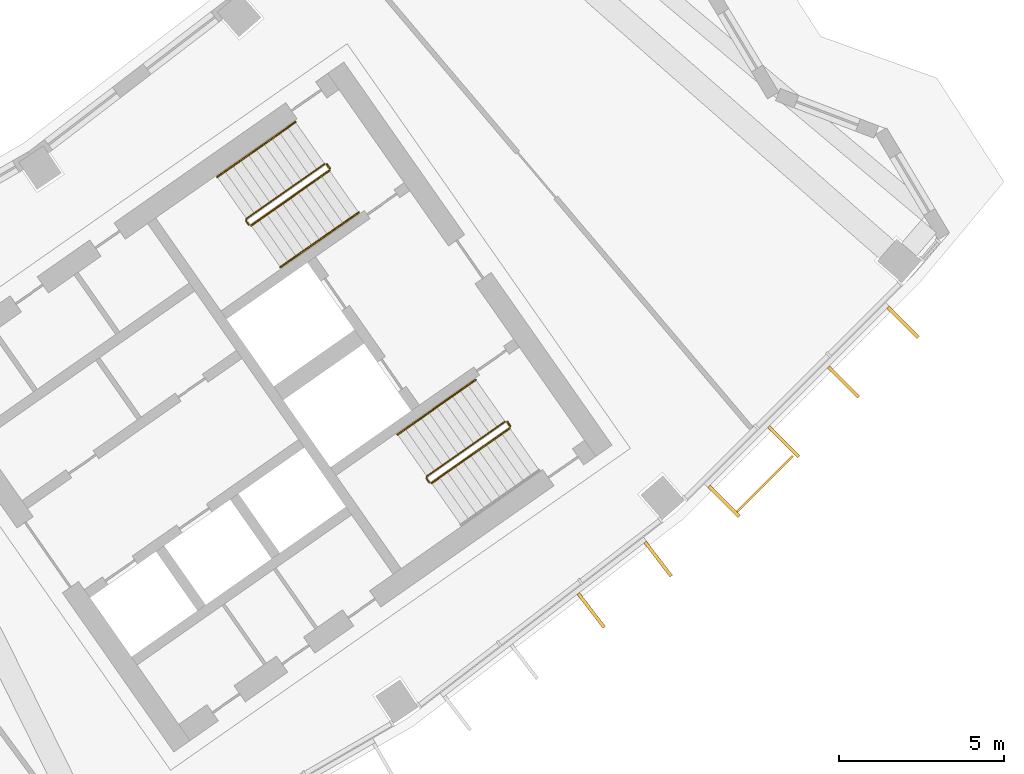
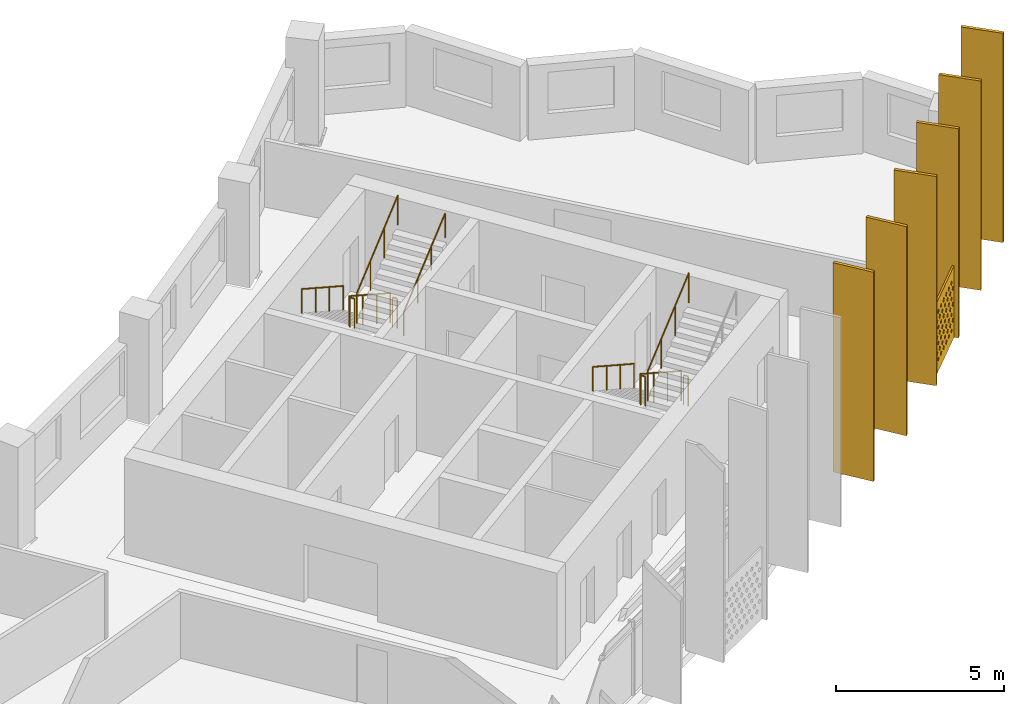
# One storey, part 28 of 29: 9 railings, 7 shading devices.
"""IFC4 building model written with IfcOpenShell, lengths in metres."""

from ifc_helpers import new_model, si_unit, direction, frame, origin, origin_2d, place, context, subcontext, project, spatial, polyline, rectangle, circle, outline, extrude, material, material_profile, profile_set, type_object, element, save


model = new_model("IFC4")

# Units and contexts
model_context = context("Model", 3, precision=1e-05, world=origin(), true_north=direction((0.0, 1.0)))
body_context = subcontext(model_context, "Body", "Model", "MODEL_VIEW")
ifc_project = project(units=[si_unit("LENGTHUNIT", "METRE"), si_unit("AREAUNIT", "SQUARE_METRE"), si_unit("VOLUMEUNIT", "CUBIC_METRE"), si_unit("PLANEANGLEUNIT", "RADIAN"), si_unit("MASSUNIT", "GRAM", prefix="KILO")], contexts=[model_context])

# Site, building, storey
site_placement = place(None, origin())
site = spatial("IfcSite", under=ifc_project, at=site_placement, CompositionType="ELEMENT")
building_placement = place(site_placement, origin())
building = spatial("IfcBuilding", under=site, at=building_placement, Name="Qamariyya Broadcast Tower", CompositionType="ELEMENT")
storey_placement = place(building_placement, frame((0.0, 0.0, 258.10009765625)))
storey = spatial("IfcBuildingStorey", under=building, at=storey_placement, Name="L62", CompositionType="ELEMENT", Elevation=258.10009765625)

# Shading device
ifc_material_1 = material(Name="Perforated glazed terracotta", Category="masonry")
ifc_material_profile_1 = material_profile(ifc_material_1, outline(polyline([(-1.199951171875, -1.300048828125), (1.199951171875, -1.300048828125), (1.199951171875, 1.300048828125), (-1.199951171875, 1.300048828125), (-1.199951171875, -1.300048828125)]), holes=[polyline([(-0.81494140625, -0.86669921875), (-0.89990234375, -0.78173828125), (-0.985107421875, -0.86669921875), (-0.89990234375, -0.95166015625), (-0.81494140625, -0.86669921875)]), polyline([(-0.514892578125, -0.86669921875), (-0.60009765625, -0.78173828125), (-0.68505859375, -0.86669921875), (-0.60009765625, -0.95166015625), (-0.514892578125, -0.86669921875)]), polyline([(-0.215087890625, -0.86669921875), (-0.300048828125, -0.78173828125), (-0.385009765625, -0.86669921875), (-0.300048828125, -0.95166015625), (-0.215087890625, -0.86669921875)]), polyline([(0.0849609375, -0.86669921875), (0.0, -0.78173828125), (-0.0849609375, -0.86669921875), (0.0, -0.95166015625), (0.0849609375, -0.86669921875)]), polyline([(0.385009765625, -0.86669921875), (0.300048828125, -0.78173828125), (0.215087890625, -0.86669921875), (0.300048828125, -0.95166015625), (0.385009765625, -0.86669921875)]), polyline([(0.68505859375, -0.86669921875), (0.60009765625, -0.78173828125), (0.514892578125, -0.86669921875), (0.60009765625, -0.95166015625), (0.68505859375, -0.86669921875)]), polyline([(0.985107421875, -0.86669921875), (0.89990234375, -0.78173828125), (0.81494140625, -0.86669921875), (0.89990234375, -0.95166015625), (0.985107421875, -0.86669921875)]), polyline([(-0.965087890625, -0.577880859375), (-1.050048828125, -0.49267578125), (-1.135009765625, -0.577880859375), (-1.050048828125, -0.662841796875), (-0.965087890625, -0.577880859375)]), polyline([(-0.6650390625, -0.577880859375), (-0.75, -0.49267578125), (-0.8349609375, -0.577880859375), (-0.75, -0.662841796875), (-0.6650390625, -0.577880859375)]), polyline([(-0.364990234375, -0.577880859375), (-0.449951171875, -0.49267578125), (-0.534912109375, -0.577880859375), (-0.449951171875, -0.662841796875), (-0.364990234375, -0.577880859375)]), polyline([(-0.06494140625, -0.577880859375), (-0.14990234375, -0.49267578125), (-0.235107421875, -0.577880859375), (-0.14990234375, -0.662841796875), (-0.06494140625, -0.577880859375)]), polyline([(0.235107421875, -0.577880859375), (0.14990234375, -0.49267578125), (0.06494140625, -0.577880859375), (0.14990234375, -0.662841796875), (0.235107421875, -0.577880859375)]), polyline([(0.534912109375, -0.577880859375), (0.449951171875, -0.49267578125), (0.364990234375, -0.577880859375), (0.449951171875, -0.662841796875), (0.534912109375, -0.577880859375)]), polyline([(0.8349609375, -0.577880859375), (0.75, -0.49267578125), (0.6650390625, -0.577880859375), (0.75, -0.662841796875), (0.8349609375, -0.577880859375)]), polyline([(1.135009765625, -0.577880859375), (1.050048828125, -0.49267578125), (0.965087890625, -0.577880859375), (1.050048828125, -0.662841796875), (1.135009765625, -0.577880859375)]), polyline([(-0.81494140625, -0.288818359375), (-0.89990234375, -0.203857421875), (-0.985107421875, -0.288818359375), (-0.89990234375, -0.373779296875), (-0.81494140625, -0.288818359375)]), polyline([(-0.514892578125, -0.288818359375), (-0.60009765625, -0.203857421875), (-0.68505859375, -0.288818359375), (-0.60009765625, -0.373779296875), (-0.514892578125, -0.288818359375)]), polyline([(-0.215087890625, -0.288818359375), (-0.300048828125, -0.203857421875), (-0.385009765625, -0.288818359375), (-0.300048828125, -0.373779296875), (-0.215087890625, -0.288818359375)]), polyline([(0.0849609375, -0.288818359375), (0.0, -0.203857421875), (-0.0849609375, -0.288818359375), (0.0, -0.373779296875), (0.0849609375, -0.288818359375)]), polyline([(0.385009765625, -0.288818359375), (0.300048828125, -0.203857421875), (0.215087890625, -0.288818359375), (0.300048828125, -0.373779296875), (0.385009765625, -0.288818359375)]), polyline([(0.68505859375, -0.288818359375), (0.60009765625, -0.203857421875), (0.514892578125, -0.288818359375), (0.60009765625, -0.373779296875), (0.68505859375, -0.288818359375)]), polyline([(0.985107421875, -0.288818359375), (0.89990234375, -0.203857421875), (0.81494140625, -0.288818359375), (0.89990234375, -0.373779296875), (0.985107421875, -0.288818359375)]), polyline([(-0.965087890625, 0.0), (-1.050048828125, 0.0849609375), (-1.135009765625, 0.0), (-1.050048828125, -0.0849609375), (-0.965087890625, 0.0)]), polyline([(-0.6650390625, 0.0), (-0.75, 0.0849609375), (-0.8349609375, 0.0), (-0.75, -0.0849609375), (-0.6650390625, 0.0)]), polyline([(-0.364990234375, 0.0), (-0.449951171875, 0.0849609375), (-0.534912109375, 0.0), (-0.449951171875, -0.0849609375), (-0.364990234375, 0.0)]), polyline([(-0.06494140625, 0.0), (-0.14990234375, 0.0849609375), (-0.235107421875, 0.0), (-0.14990234375, -0.0849609375), (-0.06494140625, 0.0)]), polyline([(0.235107421875, 0.0), (0.14990234375, 0.0849609375), (0.06494140625, 0.0), (0.14990234375, -0.0849609375), (0.235107421875, 0.0)]), polyline([(0.534912109375, 0.0), (0.449951171875, 0.0849609375), (0.364990234375, 0.0), (0.449951171875, -0.0849609375), (0.534912109375, 0.0)]), polyline([(0.8349609375, 0.0), (0.75, 0.0849609375), (0.6650390625, 0.0), (0.75, -0.0849609375), (0.8349609375, 0.0)]), polyline([(1.135009765625, 0.0), (1.050048828125, 0.0849609375), (0.965087890625, 0.0), (1.050048828125, -0.0849609375), (1.135009765625, 0.0)]), polyline([(-0.81494140625, 0.288818359375), (-0.89990234375, 0.373779296875), (-0.985107421875, 0.288818359375), (-0.89990234375, 0.203857421875), (-0.81494140625, 0.288818359375)]), polyline([(-0.514892578125, 0.288818359375), (-0.60009765625, 0.373779296875), (-0.68505859375, 0.288818359375), (-0.60009765625, 0.203857421875), (-0.514892578125, 0.288818359375)]), polyline([(-0.215087890625, 0.288818359375), (-0.300048828125, 0.373779296875), (-0.385009765625, 0.288818359375), (-0.300048828125, 0.203857421875), (-0.215087890625, 0.288818359375)]), polyline([(0.0849609375, 0.288818359375), (0.0, 0.373779296875), (-0.0849609375, 0.288818359375), (0.0, 0.203857421875), (0.0849609375, 0.288818359375)]), polyline([(0.385009765625, 0.288818359375), (0.300048828125, 0.373779296875), (0.215087890625, 0.288818359375), (0.300048828125, 0.203857421875), (0.385009765625, 0.288818359375)]), polyline([(0.68505859375, 0.288818359375), (0.60009765625, 0.373779296875), (0.514892578125, 0.288818359375), (0.60009765625, 0.203857421875), (0.68505859375, 0.288818359375)]), polyline([(0.985107421875, 0.288818359375), (0.89990234375, 0.373779296875), (0.81494140625, 0.288818359375), (0.89990234375, 0.203857421875), (0.985107421875, 0.288818359375)]), polyline([(-0.965087890625, 0.577880859375), (-1.050048828125, 0.662841796875), (-1.135009765625, 0.577880859375), (-1.050048828125, 0.49267578125), (-0.965087890625, 0.577880859375)]), polyline([(-0.6650390625, 0.577880859375), (-0.75, 0.662841796875), (-0.8349609375, 0.577880859375), (-0.75, 0.49267578125), (-0.6650390625, 0.577880859375)]), polyline([(-0.364990234375, 0.577880859375), (-0.449951171875, 0.662841796875), (-0.534912109375, 0.577880859375), (-0.449951171875, 0.49267578125), (-0.364990234375, 0.577880859375)]), polyline([(-0.06494140625, 0.577880859375), (-0.14990234375, 0.662841796875), (-0.235107421875, 0.577880859375), (-0.14990234375, 0.49267578125), (-0.06494140625, 0.577880859375)]), polyline([(0.235107421875, 0.577880859375), (0.14990234375, 0.662841796875), (0.06494140625, 0.577880859375), (0.14990234375, 0.49267578125), (0.235107421875, 0.577880859375)]), polyline([(0.534912109375, 0.577880859375), (0.449951171875, 0.662841796875), (0.364990234375, 0.577880859375), (0.449951171875, 0.49267578125), (0.534912109375, 0.577880859375)]), polyline([(0.8349609375, 0.577880859375), (0.75, 0.662841796875), (0.6650390625, 0.577880859375), (0.75, 0.49267578125), (0.8349609375, 0.577880859375)]), polyline([(1.135009765625, 0.577880859375), (1.050048828125, 0.662841796875), (0.965087890625, 0.577880859375), (1.050048828125, 0.49267578125), (1.135009765625, 0.577880859375)]), polyline([(-0.81494140625, 0.86669921875), (-0.89990234375, 0.95166015625), (-0.985107421875, 0.86669921875), (-0.89990234375, 0.78173828125), (-0.81494140625, 0.86669921875)]), polyline([(-0.514892578125, 0.86669921875), (-0.60009765625, 0.95166015625), (-0.68505859375, 0.86669921875), (-0.60009765625, 0.78173828125), (-0.514892578125, 0.86669921875)]), polyline([(-0.215087890625, 0.86669921875), (-0.300048828125, 0.95166015625), (-0.385009765625, 0.86669921875), (-0.300048828125, 0.78173828125), (-0.215087890625, 0.86669921875)]), polyline([(0.0849609375, 0.86669921875), (0.0, 0.95166015625), (-0.0849609375, 0.86669921875), (0.0, 0.78173828125), (0.0849609375, 0.86669921875)]), polyline([(0.385009765625, 0.86669921875), (0.300048828125, 0.95166015625), (0.215087890625, 0.86669921875), (0.300048828125, 0.78173828125), (0.385009765625, 0.86669921875)]), polyline([(0.68505859375, 0.86669921875), (0.60009765625, 0.95166015625), (0.514892578125, 0.86669921875), (0.60009765625, 0.78173828125), (0.68505859375, 0.86669921875)]), polyline([(0.985107421875, 0.86669921875), (0.89990234375, 0.95166015625), (0.81494140625, 0.86669921875), (0.89990234375, 0.78173828125), (0.985107421875, 0.86669921875)])]))
ifc_profile_set_1 = profile_set([ifc_material_profile_1], Name="Perforated glazed terracotta")
shading_device_type_1 = type_object("IfcShadingDeviceType", Name="Perforated terracotta screen 2400 x 2600", PredefinedType="USERDEFINED", material=ifc_profile_set_1)
shading_device_placement = place(storey_placement, frame((54.347412109375, -58.014892578125, 1.349853515625), z_axis=(0.707106781187, -0.707106781187, 0.0), x_axis=(0.707106781187, 0.707106781187, 0.0)))
element("IfcShadingDevice", 1, at=shading_device_placement, inside=storey, type_object=shading_device_type_1, Name="e-scr-L62-13-0", ObjectType="SCREEN", PredefinedType="USERDEFINED", context=body_context, shape_type="SweptSolid", body=[
    extrude(outline(polyline([(-1.199951171875, -1.300048828125), (1.199951171875, -1.300048828125), (1.199951171875, 1.300048828125), (-1.199951171875, 1.300048828125), (-1.199951171875, -1.300048828125)]), holes=[polyline([(-0.81494140625, -0.86669921875), (-0.89990234375, -0.78173828125), (-0.985107421875, -0.86669921875), (-0.89990234375, -0.95166015625), (-0.81494140625, -0.86669921875)]), polyline([(-0.514892578125, -0.86669921875), (-0.60009765625, -0.78173828125), (-0.68505859375, -0.86669921875), (-0.60009765625, -0.95166015625), (-0.514892578125, -0.86669921875)]), polyline([(-0.215087890625, -0.86669921875), (-0.300048828125, -0.78173828125), (-0.385009765625, -0.86669921875), (-0.300048828125, -0.95166015625), (-0.215087890625, -0.86669921875)]), polyline([(0.0849609375, -0.86669921875), (0.0, -0.78173828125), (-0.0849609375, -0.86669921875), (0.0, -0.95166015625), (0.0849609375, -0.86669921875)]), polyline([(0.385009765625, -0.86669921875), (0.300048828125, -0.78173828125), (0.215087890625, -0.86669921875), (0.300048828125, -0.95166015625), (0.385009765625, -0.86669921875)]), polyline([(0.68505859375, -0.86669921875), (0.60009765625, -0.78173828125), (0.514892578125, -0.86669921875), (0.60009765625, -0.95166015625), (0.68505859375, -0.86669921875)]), polyline([(0.985107421875, -0.86669921875), (0.89990234375, -0.78173828125), (0.81494140625, -0.86669921875), (0.89990234375, -0.95166015625), (0.985107421875, -0.86669921875)]), polyline([(-0.965087890625, -0.577880859375), (-1.050048828125, -0.49267578125), (-1.135009765625, -0.577880859375), (-1.050048828125, -0.662841796875), (-0.965087890625, -0.577880859375)]), polyline([(-0.6650390625, -0.577880859375), (-0.75, -0.49267578125), (-0.8349609375, -0.577880859375), (-0.75, -0.662841796875), (-0.6650390625, -0.577880859375)]), polyline([(-0.364990234375, -0.577880859375), (-0.449951171875, -0.49267578125), (-0.534912109375, -0.577880859375), (-0.449951171875, -0.662841796875), (-0.364990234375, -0.577880859375)]), polyline([(-0.06494140625, -0.577880859375), (-0.14990234375, -0.49267578125), (-0.235107421875, -0.577880859375), (-0.14990234375, -0.662841796875), (-0.06494140625, -0.577880859375)]), polyline([(0.235107421875, -0.577880859375), (0.14990234375, -0.49267578125), (0.06494140625, -0.577880859375), (0.14990234375, -0.662841796875), (0.235107421875, -0.577880859375)]), polyline([(0.534912109375, -0.577880859375), (0.449951171875, -0.49267578125), (0.364990234375, -0.577880859375), (0.449951171875, -0.662841796875), (0.534912109375, -0.577880859375)]), polyline([(0.8349609375, -0.577880859375), (0.75, -0.49267578125), (0.6650390625, -0.577880859375), (0.75, -0.662841796875), (0.8349609375, -0.577880859375)]), polyline([(1.135009765625, -0.577880859375), (1.050048828125, -0.49267578125), (0.965087890625, -0.577880859375), (1.050048828125, -0.662841796875), (1.135009765625, -0.577880859375)]), polyline([(-0.81494140625, -0.288818359375), (-0.89990234375, -0.203857421875), (-0.985107421875, -0.288818359375), (-0.89990234375, -0.373779296875), (-0.81494140625, -0.288818359375)]), polyline([(-0.514892578125, -0.288818359375), (-0.60009765625, -0.203857421875), (-0.68505859375, -0.288818359375), (-0.60009765625, -0.373779296875), (-0.514892578125, -0.288818359375)]), polyline([(-0.215087890625, -0.288818359375), (-0.300048828125, -0.203857421875), (-0.385009765625, -0.288818359375), (-0.300048828125, -0.373779296875), (-0.215087890625, -0.288818359375)]), polyline([(0.0849609375, -0.288818359375), (0.0, -0.203857421875), (-0.0849609375, -0.288818359375), (0.0, -0.373779296875), (0.0849609375, -0.288818359375)]), polyline([(0.385009765625, -0.288818359375), (0.300048828125, -0.203857421875), (0.215087890625, -0.288818359375), (0.300048828125, -0.373779296875), (0.385009765625, -0.288818359375)]), polyline([(0.68505859375, -0.288818359375), (0.60009765625, -0.203857421875), (0.514892578125, -0.288818359375), (0.60009765625, -0.373779296875), (0.68505859375, -0.288818359375)]), polyline([(0.985107421875, -0.288818359375), (0.89990234375, -0.203857421875), (0.81494140625, -0.288818359375), (0.89990234375, -0.373779296875), (0.985107421875, -0.288818359375)]), polyline([(-0.965087890625, 0.0), (-1.050048828125, 0.0849609375), (-1.135009765625, 0.0), (-1.050048828125, -0.0849609375), (-0.965087890625, 0.0)]), polyline([(-0.6650390625, 0.0), (-0.75, 0.0849609375), (-0.8349609375, 0.0), (-0.75, -0.0849609375), (-0.6650390625, 0.0)]), polyline([(-0.364990234375, 0.0), (-0.449951171875, 0.0849609375), (-0.534912109375, 0.0), (-0.449951171875, -0.0849609375), (-0.364990234375, 0.0)]), polyline([(-0.06494140625, 0.0), (-0.14990234375, 0.0849609375), (-0.235107421875, 0.0), (-0.14990234375, -0.0849609375), (-0.06494140625, 0.0)]), polyline([(0.235107421875, 0.0), (0.14990234375, 0.0849609375), (0.06494140625, 0.0), (0.14990234375, -0.0849609375), (0.235107421875, 0.0)]), polyline([(0.534912109375, 0.0), (0.449951171875, 0.0849609375), (0.364990234375, 0.0), (0.449951171875, -0.0849609375), (0.534912109375, 0.0)]), polyline([(0.8349609375, 0.0), (0.75, 0.0849609375), (0.6650390625, 0.0), (0.75, -0.0849609375), (0.8349609375, 0.0)]), polyline([(1.135009765625, 0.0), (1.050048828125, 0.0849609375), (0.965087890625, 0.0), (1.050048828125, -0.0849609375), (1.135009765625, 0.0)]), polyline([(-0.81494140625, 0.288818359375), (-0.89990234375, 0.373779296875), (-0.985107421875, 0.288818359375), (-0.89990234375, 0.203857421875), (-0.81494140625, 0.288818359375)]), polyline([(-0.514892578125, 0.288818359375), (-0.60009765625, 0.373779296875), (-0.68505859375, 0.288818359375), (-0.60009765625, 0.203857421875), (-0.514892578125, 0.288818359375)]), polyline([(-0.215087890625, 0.288818359375), (-0.300048828125, 0.373779296875), (-0.385009765625, 0.288818359375), (-0.300048828125, 0.203857421875), (-0.215087890625, 0.288818359375)]), polyline([(0.0849609375, 0.288818359375), (0.0, 0.373779296875), (-0.0849609375, 0.288818359375), (0.0, 0.203857421875), (0.0849609375, 0.288818359375)]), polyline([(0.385009765625, 0.288818359375), (0.300048828125, 0.373779296875), (0.215087890625, 0.288818359375), (0.300048828125, 0.203857421875), (0.385009765625, 0.288818359375)]), polyline([(0.68505859375, 0.288818359375), (0.60009765625, 0.373779296875), (0.514892578125, 0.288818359375), (0.60009765625, 0.203857421875), (0.68505859375, 0.288818359375)]), polyline([(0.985107421875, 0.288818359375), (0.89990234375, 0.373779296875), (0.81494140625, 0.288818359375), (0.89990234375, 0.203857421875), (0.985107421875, 0.288818359375)]), polyline([(-0.965087890625, 0.577880859375), (-1.050048828125, 0.662841796875), (-1.135009765625, 0.577880859375), (-1.050048828125, 0.49267578125), (-0.965087890625, 0.577880859375)]), polyline([(-0.6650390625, 0.577880859375), (-0.75, 0.662841796875), (-0.8349609375, 0.577880859375), (-0.75, 0.49267578125), (-0.6650390625, 0.577880859375)]), polyline([(-0.364990234375, 0.577880859375), (-0.449951171875, 0.662841796875), (-0.534912109375, 0.577880859375), (-0.449951171875, 0.49267578125), (-0.364990234375, 0.577880859375)]), polyline([(-0.06494140625, 0.577880859375), (-0.14990234375, 0.662841796875), (-0.235107421875, 0.577880859375), (-0.14990234375, 0.49267578125), (-0.06494140625, 0.577880859375)]), polyline([(0.235107421875, 0.577880859375), (0.14990234375, 0.662841796875), (0.06494140625, 0.577880859375), (0.14990234375, 0.49267578125), (0.235107421875, 0.577880859375)]), polyline([(0.534912109375, 0.577880859375), (0.449951171875, 0.662841796875), (0.364990234375, 0.577880859375), (0.449951171875, 0.49267578125), (0.534912109375, 0.577880859375)]), polyline([(0.8349609375, 0.577880859375), (0.75, 0.662841796875), (0.6650390625, 0.577880859375), (0.75, 0.49267578125), (0.8349609375, 0.577880859375)]), polyline([(1.135009765625, 0.577880859375), (1.050048828125, 0.662841796875), (0.965087890625, 0.577880859375), (1.050048828125, 0.49267578125), (1.135009765625, 0.577880859375)]), polyline([(-0.81494140625, 0.86669921875), (-0.89990234375, 0.95166015625), (-0.985107421875, 0.86669921875), (-0.89990234375, 0.78173828125), (-0.81494140625, 0.86669921875)]), polyline([(-0.514892578125, 0.86669921875), (-0.60009765625, 0.95166015625), (-0.68505859375, 0.86669921875), (-0.60009765625, 0.78173828125), (-0.514892578125, 0.86669921875)]), polyline([(-0.215087890625, 0.86669921875), (-0.300048828125, 0.95166015625), (-0.385009765625, 0.86669921875), (-0.300048828125, 0.78173828125), (-0.215087890625, 0.86669921875)]), polyline([(0.0849609375, 0.86669921875), (0.0, 0.95166015625), (-0.0849609375, 0.86669921875), (0.0, 0.78173828125), (0.0849609375, 0.86669921875)]), polyline([(0.385009765625, 0.86669921875), (0.300048828125, 0.95166015625), (0.215087890625, 0.86669921875), (0.300048828125, 0.78173828125), (0.385009765625, 0.86669921875)]), polyline([(0.68505859375, 0.86669921875), (0.60009765625, 0.95166015625), (0.514892578125, 0.86669921875), (0.60009765625, 0.78173828125), (0.68505859375, 0.86669921875)]), polyline([(0.985107421875, 0.86669921875), (0.89990234375, 0.95166015625), (0.81494140625, 0.86669921875), (0.89990234375, 0.78173828125), (0.985107421875, 0.86669921875)])]), origin(), (0.0, 0.0, 1.0), 0.06005859375),
])

# Railings
ifc_material_2 = material(Name="Painted steel", Category="steel")
railing_type_1 = type_object("IfcRailingType", Name="Stair guard", PredefinedType="GUARDRAIL", material=ifc_material_2)
railing_1_placement = place(storey_placement, frame((41.003173828125, -48.320068359375, 0.172607421875)))
element("IfcRailing", 2, at=railing_1_placement, inside=storey, type_object=railing_type_1, Name="L62 ST-E2 stair guard 1", PredefinedType="GUARDRAIL", context=body_context, shape_type="SweptSolid", body=[
    extrude(circle(Radius=0.02392578125, at=origin_2d()), frame((0.0, 0.0, 1.076171875), z_axis=(-0.703770094002, -0.492783725636, 0.511734163933), x_axis=(0.573575343427, -0.819152809562, 0.0)), (0.0, 0.0, 1.0), 3.37548828125),
    extrude(circle(Radius=0.02392578125, at=origin_2d()), frame((-2.37548828125, -1.663330078125, 2.80322265625), z_axis=(-0.172799478008, -0.984957024646, 0.0), x_axis=(0.984957024646, -0.172799478008, 0.0)), (0.0, 0.0, 1.0), 0.070556640625),
    extrude(circle(Radius=0.02392578125, at=origin_2d()), frame((-2.3876953125, -1.73291015625, 2.80322265625), z_axis=(0.572588637393, -0.819842821722, 0.0), x_axis=(0.819842821722, 0.572588637393, 0.0)), (0.0, 0.0, 1.0), 0.150146484375),
    extrude(circle(Radius=0.02099609375, at=origin_2d()), origin(), (0.0, 0.0, 1.0), 1.052001953125),
    extrude(circle(Radius=0.02099609375, at=origin_2d()), frame((-0.791748046875, -0.554443359375, 0.57568359375)), (0.0, 0.0, 1.0), 1.052001953125),
    extrude(circle(Radius=0.02099609375, at=origin_2d()), frame((-1.583740234375, -1.10888671875, 1.151611328125)), (0.0, 0.0, 1.0), 1.052001953125),
    extrude(circle(Radius=0.02099609375, at=origin_2d()), frame((-2.37548828125, -1.663330078125, 1.727294921875)), (0.0, 0.0, 1.0), 1.052001953125),
    extrude(circle(Radius=0.02099609375, at=origin_2d()), frame((-2.3876953125, -1.73291015625, 1.727294921875)), (0.0, 0.0, 1.0), 1.052001953125),
    extrude(circle(Radius=0.02099609375, at=origin_2d()), frame((-2.3017578125, -1.85595703125, 1.727294921875)), (0.0, 0.0, 1.0), 1.052001953125),
])
railing_2_placement = place(storey_placement, frame((38.771240234375, -50.188232421875, 2.072509765625)))
element("IfcRailing", 3, at=railing_2_placement, inside=storey, type_object=railing_type_1, Name="L62 ST-E2 stair guard 2", PredefinedType="GUARDRAIL", context=body_context, shape_type="SweptSolid", body=[
    extrude(circle(Radius=0.02392578125, at=origin_2d()), frame((0.0, 0.0, 1.076171875), z_axis=(0.703770094002, 0.492783725636, 0.511734163933), x_axis=(-0.573575343427, 0.819152809562, 0.0)), (0.0, 0.0, 1.0), 3.37548828125),
    extrude(circle(Radius=0.02099609375, at=origin_2d()), origin(), (0.0, 0.0, 1.0), 1.052001953125),
    extrude(circle(Radius=0.02099609375, at=origin_2d()), frame((0.791748046875, 0.554443359375, 0.57568359375)), (0.0, 0.0, 1.0), 1.052001953125),
    extrude(circle(Radius=0.02099609375, at=origin_2d()), frame((1.583740234375, 1.10888671875, 1.151611328125)), (0.0, 0.0, 1.0), 1.052001953125),
    extrude(circle(Radius=0.02099609375, at=origin_2d()), frame((2.37548828125, 1.663330078125, 1.727294921875)), (0.0, 0.0, 1.0), 1.052001953125),
])
railing_3_placement = place(storey_placement, frame((41.072998046875, -48.332275390625, 0.0)))
element("IfcRailing", 4, at=railing_3_placement, inside=storey, type_object=railing_type_1, Name="L62 ST-E2 stair guard 3", PredefinedType="GUARDRAIL", context=body_context, shape_type="SweptSolid", body=[
    extrude(circle(Radius=0.02392578125, at=origin_2d()), frame((0.0, 0.0, 1.076171875), z_axis=(0.572588637393, -0.819842821722, 0.0), x_axis=(0.819842821722, 0.572588637393, 0.0)), (0.0, 0.0, 1.0), 0.150146484375),
    extrude(circle(Radius=0.02099609375, at=origin_2d()), origin(), (0.0, 0.0, 1.0), 1.052001953125),
    extrude(circle(Radius=0.02099609375, at=origin_2d()), frame((0.0859375, -0.123046875, 0.0)), (0.0, 0.0, 1.0), 1.052001953125),
])
railing_4_placement = place(storey_placement, frame((46.48095703125, -56.14306640625, 0.172607421875)))
element("IfcRailing", 5, at=railing_4_placement, inside=storey, type_object=railing_type_1, Name="L62 ST-E1 stair guard 1", PredefinedType="GUARDRAIL", context=body_context, shape_type="SweptSolid", body=[
    extrude(circle(Radius=0.02392578125, at=origin_2d()), frame((0.0, 0.0, 1.076171875), z_axis=(-0.703770094002, -0.492783725636, 0.511734163933), x_axis=(0.573575343427, -0.819152809562, 0.0)), (0.0, 0.0, 1.0), 3.37548828125),
    extrude(circle(Radius=0.02392578125, at=origin_2d()), frame((-2.37548828125, -1.663330078125, 2.80322265625), z_axis=(-0.176149252506, -0.984363469884, 0.0), x_axis=(0.984363469884, -0.176149252506, 0.0)), (0.0, 0.0, 1.0), 0.07080078125),
    extrude(circle(Radius=0.02392578125, at=origin_2d()), frame((-2.387939453125, -1.73291015625, 2.80322265625), z_axis=(0.574444878118, -0.818543268254, 0.0), x_axis=(0.818543268254, 0.574444878118, 0.0)), (0.0, 0.0, 1.0), 0.150146484375),
    extrude(circle(Radius=0.02099609375, at=origin_2d()), origin(), (0.0, 0.0, 1.0), 1.052001953125),
    extrude(circle(Radius=0.02099609375, at=origin_2d()), frame((-0.791748046875, -0.554443359375, 0.57568359375)), (0.0, 0.0, 1.0), 1.052001953125),
    extrude(circle(Radius=0.02099609375, at=origin_2d()), frame((-1.583740234375, -1.10888671875, 1.151611328125)), (0.0, 0.0, 1.0), 1.052001953125),
    extrude(circle(Radius=0.02099609375, at=origin_2d()), frame((-2.37548828125, -1.663330078125, 1.727294921875)), (0.0, 0.0, 1.0), 1.052001953125),
    extrude(circle(Radius=0.02099609375, at=origin_2d()), frame((-2.387939453125, -1.73291015625, 1.727294921875)), (0.0, 0.0, 1.0), 1.052001953125),
    extrude(circle(Radius=0.02099609375, at=origin_2d()), frame((-2.3017578125, -1.855712890625, 1.727294921875)), (0.0, 0.0, 1.0), 1.052001953125),
])
railing_5_placement = place(storey_placement, frame((44.248779296875, -58.01123046875, 2.072509765625)))
element("IfcRailing", 6, at=railing_5_placement, inside=storey, type_object=railing_type_1, Name="L62 ST-E1 stair guard 2", PredefinedType="GUARDRAIL", context=body_context, shape_type="SweptSolid", body=[
    extrude(circle(Radius=0.02392578125, at=origin_2d()), frame((0.0, 0.0, 1.076171875), z_axis=(0.703745009021, 0.492838488332, 0.511715923826), x_axis=(-0.573631830683, 0.819113253969, 0.0)), (0.0, 0.0, 1.0), 3.37548828125),
    extrude(circle(Radius=0.02099609375, at=origin_2d()), origin(), (0.0, 0.0, 1.0), 1.052001953125),
    extrude(circle(Radius=0.02099609375, at=origin_2d()), frame((0.791748046875, 0.554443359375, 0.57568359375)), (0.0, 0.0, 1.0), 1.052001953125),
    extrude(circle(Radius=0.02099609375, at=origin_2d()), frame((1.583740234375, 1.109130859375, 1.151611328125)), (0.0, 0.0, 1.0), 1.052001953125),
    extrude(circle(Radius=0.02099609375, at=origin_2d()), frame((2.37548828125, 1.66357421875, 1.727294921875)), (0.0, 0.0, 1.0), 1.052001953125),
])
railing_6_placement = place(storey_placement, frame((46.550537109375, -56.1552734375, 0.0)))
element("IfcRailing", 7, at=railing_6_placement, inside=storey, type_object=railing_type_1, Name="L62 ST-E1 stair guard 3", PredefinedType="GUARDRAIL", context=body_context, shape_type="SweptSolid", body=[
    extrude(circle(Radius=0.02392578125, at=origin_2d()), frame((0.0, 0.0, 1.076171875), z_axis=(0.574444878118, -0.818543268254, 0.0), x_axis=(0.818543268254, 0.574444878118, 0.0)), (0.0, 0.0, 1.0), 0.150146484375),
    extrude(circle(Radius=0.02099609375, at=origin_2d()), origin(), (0.0, 0.0, 1.0), 1.052001953125),
    extrude(circle(Radius=0.02099609375, at=origin_2d()), frame((0.086181640625, -0.122802734375, 0.0)), (0.0, 0.0, 1.0), 1.052001953125),
])
ifc_material_3 = material(Name="Stainless steel", Category="steel")
railing_type_2 = type_object("IfcRailingType", Name="Stair handrail", PredefinedType="HANDRAIL", material=ifc_material_3)
railing_7_placement = place(storey_placement, frame((40.1142578125, -47.05029296875, 0.172607421875)))
element("IfcRailing", 8, at=railing_7_placement, inside=storey, type_object=railing_type_2, Name="L62 ST-E2 stair handrail 1", PredefinedType="HANDRAIL", context=body_context, shape_type="SweptSolid", body=[
    extrude(circle(Radius=0.02392578125, at=origin_2d()), frame((0.0, 0.0, 0.8759765625), z_axis=(-0.703745009021, -0.492838488332, 0.511715923826), x_axis=(0.573631830683, -0.819113253969, 0.0)), (0.0, 0.0, 1.0), 3.37548828125),
    extrude(circle(Radius=0.02099609375, at=origin_2d()), origin(), (0.0, 0.0, 1.0), 0.851806640625),
    extrude(circle(Radius=0.02099609375, at=origin_2d()), frame((-0.791748046875, -0.554443359375, 0.57568359375)), (0.0, 0.0, 1.0), 0.851806640625),
    extrude(circle(Radius=0.02099609375, at=origin_2d()), frame((-1.583740234375, -1.109130859375, 1.151611328125)), (0.0, 0.0, 1.0), 0.851806640625),
    extrude(circle(Radius=0.02099609375, at=origin_2d()), frame((-2.37548828125, -1.66357421875, 1.727294921875)), (0.0, 0.0, 1.0), 0.851806640625),
])
railing_8_placement = place(storey_placement, frame((39.66015625, -51.4580078125, 2.072509765625)))
element("IfcRailing", 9, at=railing_8_placement, inside=storey, type_object=railing_type_2, Name="L62 ST-E2 stair handrail 2", PredefinedType="HANDRAIL", context=body_context, shape_type="SweptSolid", body=[
    extrude(circle(Radius=0.02392578125, at=origin_2d()), frame((0.0, 0.0, 0.8759765625), z_axis=(0.703745009021, 0.492838488332, 0.511715923826), x_axis=(-0.573631830683, 0.819113253969, 0.0)), (0.0, 0.0, 1.0), 3.37548828125),
    extrude(circle(Radius=0.02099609375, at=origin_2d()), origin(), (0.0, 0.0, 1.0), 0.851806640625),
    extrude(circle(Radius=0.02099609375, at=origin_2d()), frame((0.791748046875, 0.554443359375, 0.57568359375)), (0.0, 0.0, 1.0), 0.851806640625),
    extrude(circle(Radius=0.02099609375, at=origin_2d()), frame((1.583740234375, 1.109130859375, 1.151611328125)), (0.0, 0.0, 1.0), 0.851806640625),
    extrude(circle(Radius=0.02099609375, at=origin_2d()), frame((2.37548828125, 1.66357421875, 1.727294921875)), (0.0, 0.0, 1.0), 0.851806640625),
])
railing_9_placement = place(storey_placement, frame((45.591796875, -54.873291015625, 0.172607421875)))
element("IfcRailing", 10, at=railing_9_placement, inside=storey, type_object=railing_type_2, Name="L62 ST-E1 stair handrail 1", PredefinedType="HANDRAIL", context=body_context, shape_type="SweptSolid", body=[
    extrude(circle(Radius=0.02392578125, at=origin_2d()), frame((0.0, 0.0, 0.8759765625), z_axis=(-0.703770094002, -0.492783725636, 0.511734163933), x_axis=(0.573575343427, -0.819152809562, 0.0)), (0.0, 0.0, 1.0), 3.37548828125),
    extrude(circle(Radius=0.02099609375, at=origin_2d()), origin(), (0.0, 0.0, 1.0), 0.851806640625),
    extrude(circle(Radius=0.02099609375, at=origin_2d()), frame((-0.791748046875, -0.554443359375, 0.57568359375)), (0.0, 0.0, 1.0), 0.851806640625),
    extrude(circle(Radius=0.02099609375, at=origin_2d()), frame((-1.583740234375, -1.10888671875, 1.151611328125)), (0.0, 0.0, 1.0), 0.851806640625),
    extrude(circle(Radius=0.02099609375, at=origin_2d()), frame((-2.37548828125, -1.663330078125, 1.727294921875)), (0.0, 0.0, 1.0), 0.851806640625),
])

# Shading devices
ifc_material_4 = material(Name="Glazed terracotta", Category="masonry")
ifc_material_profile_2 = material_profile(ifc_material_4, rectangle(XDim=1.300048828125, YDim=0.10009765625, at=origin_2d()))
ifc_profile_set_2 = profile_set([ifc_material_profile_2], Name="Glazed terracotta")
shading_device_type_2 = type_object("IfcShadingDeviceType", Name="Terracotta fin 100 x 1300", PredefinedType="USERDEFINED", material=ifc_profile_set_2)
for number, where, z_axis, x_axis, name in (
    (11, (49.09765625, -61.880859375, 0.0), (0.0, 0.0, 1.0), (0.608761429009, -0.793353340291, 0.0), "e-fin-L62-12-2"),
    (12, (51.13037109375, -60.3212890625, 0.0), (0.0, 0.0, 1.0), (0.608761429009, -0.793353340291, 0.0), "e-fin-L62-12-3"),
    (13, (53.13134765625, -58.56640625, 0.0), (0.0, 0.0, 1.0), (0.707106781187, -0.707106781187, 0.0), "e-fin-L62-13-0"),
    (14, (54.943115234375, -56.754638671875, 0.0), (0.0, 0.0, 1.0), (0.707106781187, -0.707106781187, 0.0), "e-fin-L62-13-1"),
    (15, (56.754638671875, -54.943115234375, 0.0), (0.0, 0.0, 1.0), (0.707106781187, -0.707106781187, 0.0), "e-fin-L62-13-2"),
    (16, (58.56640625, -53.13134765625, 0.0), (0.0, 0.0, 1.0), (0.707106781187, -0.707106781187, 0.0), "e-fin-L62-13-3"),
):
    element("IfcShadingDevice", number, at=place(storey_placement, frame(where, z_axis=z_axis, x_axis=x_axis)), inside=storey, type_object=shading_device_type_2, Name=name, ObjectType="FIN", PredefinedType="USERDEFINED", context=body_context, shape_type="SweptSolid", body=[
        extrude(rectangle(XDim=1.300048828125, YDim=0.10009765625, at=origin_2d()), origin(), (0.0, 0.0, 1.0), 7.599853515625),
    ])

save(model, "model.ifc")
